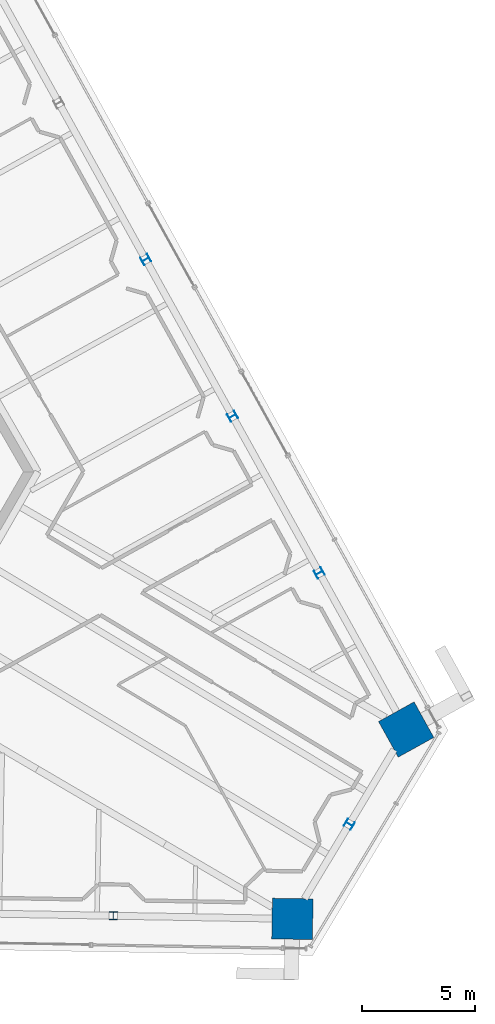
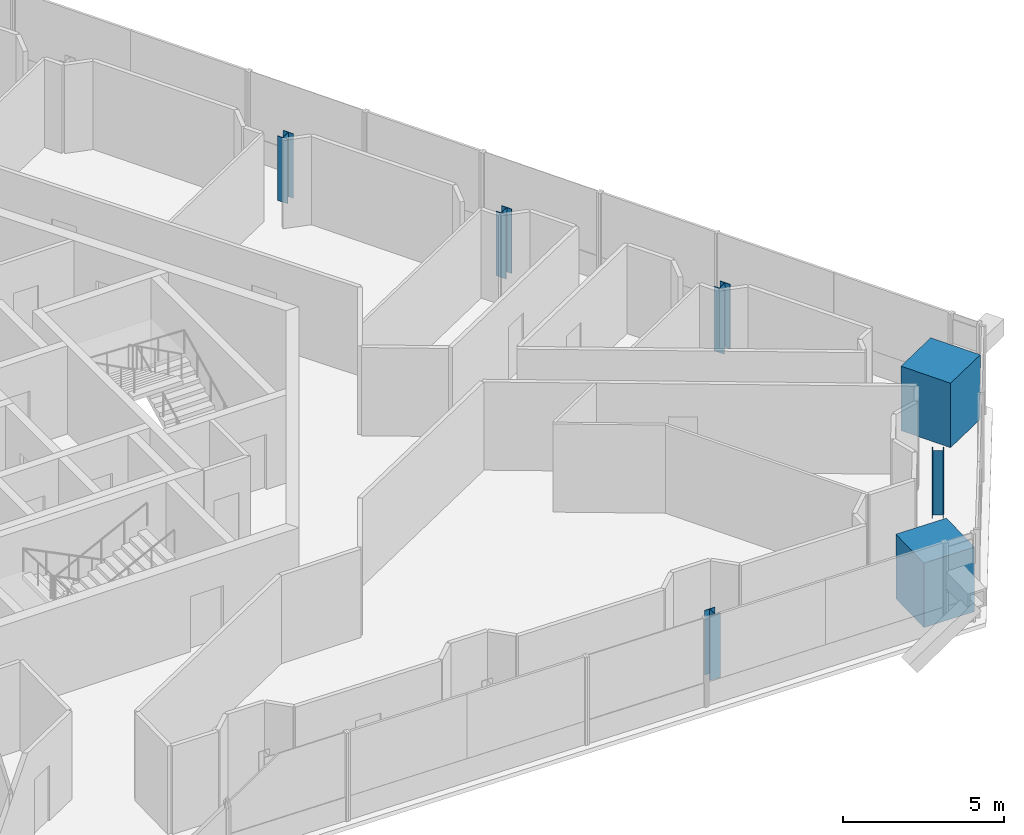
# One storey, part 2 of 24: 7 columns.
"""IFC4 building model written with IfcOpenShell, lengths in metres."""

from ifc_helpers import new_model, si_unit, direction, frame, origin, origin_2d, place, context, subcontext, project, spatial, rectangle, i_section, extrude, source, transform, mapped, material, material_profile, profile_set, type_object, element, save


model = new_model("IFC4")

# Units and contexts
model_context = context("Model", 3, precision=1e-05, world=origin(), true_north=direction((0.0, 1.0)))
body_context = subcontext(model_context, "Body", "Model", "MODEL_VIEW")
ifc_project = project(units=[si_unit("LENGTHUNIT", "METRE"), si_unit("AREAUNIT", "SQUARE_METRE"), si_unit("VOLUMEUNIT", "CUBIC_METRE"), si_unit("PLANEANGLEUNIT", "RADIAN"), si_unit("MASSUNIT", "GRAM", prefix="KILO")], contexts=[model_context])

# Site, building, storey
site_placement = place(None, origin())
site = spatial("IfcSite", under=ifc_project, at=site_placement, CompositionType="ELEMENT")
building_placement = place(site_placement, origin())
building = spatial("IfcBuilding", under=site, at=building_placement, Name="Triune Harvest Tower", CompositionType="ELEMENT")
storey_placement = place(building_placement, frame((0.0, 0.0, 212.300048828125)))
storey = spatial("IfcBuildingStorey", under=building, at=storey_placement, Name="L55", CompositionType="ELEMENT", Elevation=212.300048828125)

# Columns
ifc_material_1 = material(Name="Concrete 70 MPa", Category="concrete")
ifc_material_profile_1 = material_profile(ifc_material_1, rectangle(XDim=1.800048828125, YDim=1.800048828125, at=origin_2d()), Name="Composite 1800x1800")
ifc_profile_set_1 = profile_set([ifc_material_profile_1], Name="Concrete 70 MPa")
column_type_1 = type_object("IfcColumnType", Name="MC-5 Mega column Composite 1800x1800", PredefinedType="COLUMN", material=ifc_profile_set_1)
shared_shape_1 = source(origin(), body_context, "Body", "SweptSolid", [
    extrude(rectangle(XDim=1.800048828125, YDim=1.800048828125, at=origin_2d()), origin(), (0.0, 0.0, 1.0), 2.449951171875),
])
for number, where, z_axis, x_axis, name in (
    (1, (28.475341796875, -11.40673828125, 0.0), (0.0, 0.0, 1.0), (-0.484809620246, 0.874619707139, 0.0), "col/L55/M0"),
    (2, (23.43994140625, -19.787109375, 0.0), (0.0, 0.0, 1.0), (0.999847695156, -0.017452406437, 0.0), "col/L55/M22"),
):
    element("IfcColumn", number, at=place(storey_placement, frame(where, z_axis=z_axis, x_axis=x_axis)), inside=storey, type_object=column_type_1, Name=name, PredefinedType="COLUMN", context=body_context, shape_type="MappedRepresentation", body=[
        mapped(shared_shape_1, transform((0.0, 0.0, 0.0), scale=1.0)),
    ])
ifc_material_2 = material(Name="Steel ASTM A992 Gr 50", Category="steel")
ifc_material_profile_2 = material_profile(ifc_material_2, i_section(OverallWidth=0.370849609375, OverallDepth=0.36328125, WebThickness=0.013427734375, FlangeThickness=0.021728515625, at=origin_2d()), Name="W14x109")
ifc_profile_set_2 = profile_set([ifc_material_profile_2], Name="Steel ASTM A992 Gr 50")
column_type_2 = type_object("IfcColumnType", Name="PC-5 Perimeter column W14x109", PredefinedType="COLUMN", material=ifc_profile_set_2)
shared_shape_2 = source(origin(), body_context, "Body", "SweptSolid", [
    extrude(i_section(OverallWidth=0.370849609375, OverallDepth=0.36328125, WebThickness=0.013427734375, FlangeThickness=0.021728515625, at=origin_2d()), origin(), (0.0, 0.0, 1.0), 2.449951171875),
])
for number, where, z_axis, x_axis, name in (
    (3, (24.632080078125, -4.473388671875, 0.0), (0.0, 0.0, 1.0), (-0.484809620246, 0.874619707139, 0.0), "col/L55/P1"),
    (4, (20.788818359375, 2.459716796875, 0.0), (0.0, 0.0, 1.0), (-0.484809620246, 0.874619707139, 0.0), "col/L55/P2"),
    (5, (16.94580078125, 9.39306640625, 0.0), (0.0, 0.0, 1.0), (-0.484809620246, 0.874619707139, 0.0), "col/L55/P3"),
    (6, (15.513916015625, -19.648681640625, 0.0), (0.0, 0.0, 1.0), (0.999847695156, -0.017452406437, 0.0), "col/L55/P21"),
    (7, (25.95751953125, -15.596923828125, 0.0), (0.0, 0.0, 1.0), (0.515039570948, 0.85716640179, 0.0), "col/L55/P23"),
):
    element("IfcColumn", number, at=place(storey_placement, frame(where, z_axis=z_axis, x_axis=x_axis)), inside=storey, type_object=column_type_2, Name=name, PredefinedType="COLUMN", context=body_context, shape_type="MappedRepresentation", body=[
        mapped(shared_shape_2, transform((0.0, 0.0, 0.0), scale=1.0)),
    ])

save(model, "model.ifc")
